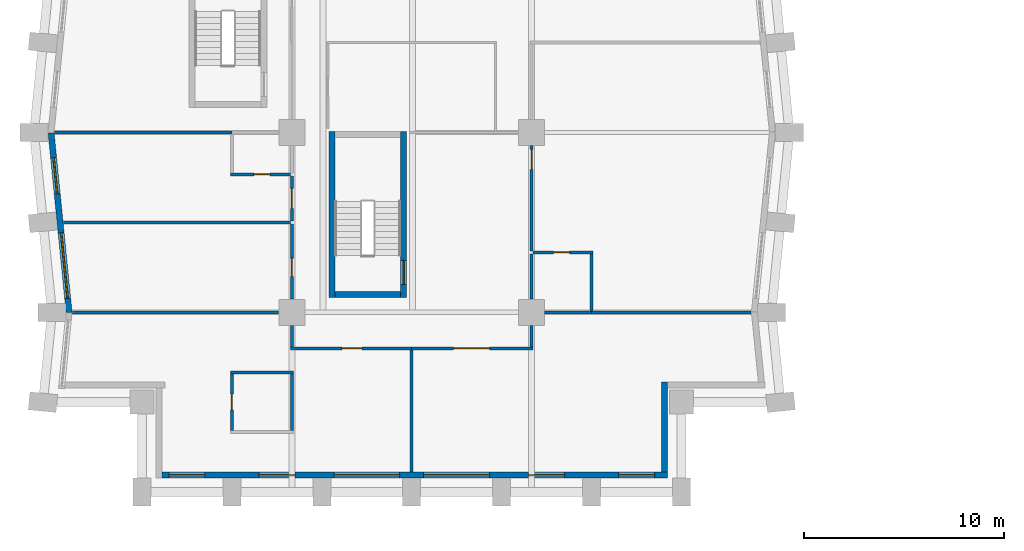
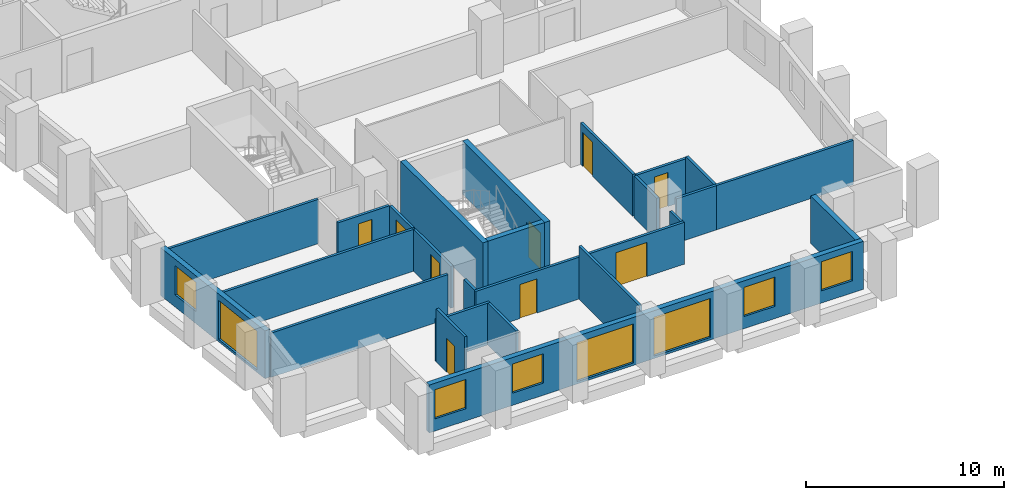
# One storey, part 3 of 13: 26 walls, 9 doors, 8 windows, 17 openings.
"""IFC4 building model written with IfcOpenShell, lengths in metres."""

from ifc_helpers import new_model, si_unit, direction, frame, frame_2d, origin, place, context, subcontext, project, spatial, rectangle, extrude, material, layer, layer_set, type_object, element, fill, save


model = new_model("IFC4")

# Units and contexts
model_context = context("Model", 3, precision=1e-05, world=origin(), true_north=direction((0.0, 1.0)))
body_context = subcontext(model_context, "Body", "Model", "MODEL_VIEW")
ifc_project = project(units=[si_unit("LENGTHUNIT", "METRE"), si_unit("AREAUNIT", "SQUARE_METRE"), si_unit("VOLUMEUNIT", "CUBIC_METRE"), si_unit("PLANEANGLEUNIT", "RADIAN"), si_unit("MASSUNIT", "GRAM", prefix="KILO")], contexts=[model_context])

# Site, building, storey
site_placement = place(None, origin())
site = spatial("IfcSite", under=ifc_project, at=site_placement, CompositionType="ELEMENT")
building_placement = place(site_placement, origin())
building = spatial("IfcBuilding", under=site, at=building_placement, Name="Brondeck Convention Tower", CompositionType="ELEMENT")
storey_placement = place(building_placement, frame((0.0, 0.0, 69.89990234375)))
storey = spatial("IfcBuildingStorey", under=building, at=storey_placement, Name="L15", CompositionType="ELEMENT", Elevation=69.89990234375)

# Wall, openings, windows
ifc_material_1 = material(Name="Precast concrete C50/60 bronze finish", Category="concrete")
ifc_layer_1 = layer(ifc_material_1, 0.070068359375, Name="Bronze precast facing")
ifc_material_2 = material(Name="Mineral wool")
ifc_layer_2 = layer(ifc_material_2, 0.159912109375, Name="Insulation")
ifc_material_3 = material(Name="Concrete C35/45", Category="concrete")
ifc_layer_3 = layer(ifc_material_3, 0.070068359375, Name="Backing")
ifc_layer_set_1 = layer_set([ifc_layer_1, ifc_layer_2, ifc_layer_3], Name="External infill wall, precast concrete C50/60 bronze facing")
wall_type_1 = type_object("IfcWallType", Name="External infill wall, precast concrete C50/60 bronze facing", PredefinedType="SOLIDWALL", material=ifc_layer_set_1)
wall_1_placement = place(storey_placement, frame((30.800048828125, 0.85009765625, 0.0), z_axis=(0.0, 0.0, 1.0), x_axis=(-1.0, 0.0, 0.0)))
wall_1 = element("IfcWall", 1, at=wall_1_placement, inside=storey, type_object=wall_type_1, Name="ENV-EW-L15-P0-B-S0-01", PredefinedType="SOLIDWALL", context=body_context, shape_type="SweptSolid", body=[
    extrude(rectangle(XDim=25.300048828125, YDim=0.300048828125, at=frame_2d((12.64990234375, 0.0))), origin(), (0.0, 0.0, 1.0), 2.9501953125),
])
opening_1_placement = place(wall_1_placement, frame((0.64990234375, 0.0, 0.75)))
opening_1 = element("IfcOpeningElement", 2, at=opening_1_placement, cuts=wall_1, Name="Opening W10", PredefinedType="OPENING", context=body_context, shape_type="SweptSolid", body=[
    extrude(rectangle(XDim=1.800048828125, YDim=1.800048828125, at=frame_2d((0.89990234375, 0.89990234375))), frame((0.0, 0.159912109375, 0.0), z_axis=(0.0, -1.0, 0.0), x_axis=(1.0, 0.0, 0.0)), (0.0, 0.0, 1.0), 0.320068359375),
])
opening_2_placement = place(wall_1_placement, frame((5.14990234375, 0.0, 0.75)))
opening_2 = element("IfcOpeningElement", 3, at=opening_2_placement, cuts=wall_1, Name="Opening W10", PredefinedType="OPENING", context=body_context, shape_type="SweptSolid", body=[
    extrude(rectangle(XDim=1.800048828125, YDim=1.800048828125, at=frame_2d((0.89990234375, 0.89990234375))), frame((0.0, 0.159912109375, 0.0), z_axis=(0.0, -1.0, 0.0), x_axis=(1.0, 0.0, 0.0)), (0.0, 0.0, 1.0), 0.320068359375),
])
opening_3_placement = place(wall_1_placement, frame((8.89990234375, 0.0, 0.14990234375)))
opening_3 = element("IfcOpeningElement", 4, at=opening_3_placement, cuts=wall_1, Name="Opening W9", PredefinedType="OPENING", context=body_context, shape_type="SweptSolid", body=[
    extrude(rectangle(XDim=3.300048828125, YDim=2.39990234375, at=frame_2d((1.64990234375, 1.199951171875))), frame((0.0, 0.159912109375, 0.0), z_axis=(0.0, -1.0, 0.0), x_axis=(1.0, 0.0, 0.0)), (0.0, 0.0, 1.0), 0.320068359375),
])
opening_4_placement = place(wall_1_placement, frame((13.39990234375, 0.0, 0.14990234375)))
opening_4 = element("IfcOpeningElement", 5, at=opening_4_placement, cuts=wall_1, Name="Opening W9", PredefinedType="OPENING", context=body_context, shape_type="SweptSolid", body=[
    extrude(rectangle(XDim=3.300048828125, YDim=2.39990234375, at=frame_2d((1.64990234375, 1.199951171875))), frame((0.0, 0.159912109375, 0.0), z_axis=(0.0, -1.0, 0.0), x_axis=(1.0, 0.0, 0.0)), (0.0, 0.0, 1.0), 0.320068359375),
])
opening_5_placement = place(wall_1_placement, frame((18.64990234375, 0.0, 0.75)))
opening_5 = element("IfcOpeningElement", 6, at=opening_5_placement, cuts=wall_1, Name="Opening W10", PredefinedType="OPENING", context=body_context, shape_type="SweptSolid", body=[
    extrude(rectangle(XDim=1.800048828125, YDim=1.800048828125, at=frame_2d((0.89990234375, 0.89990234375))), frame((0.0, 0.159912109375, 0.0), z_axis=(0.0, -1.0, 0.0), x_axis=(1.0, 0.0, 0.0)), (0.0, 0.0, 1.0), 0.320068359375),
])
opening_6_placement = place(wall_1_placement, frame((23.14990234375, 0.0, 0.75)))
opening_6 = element("IfcOpeningElement", 7, at=opening_6_placement, cuts=wall_1, Name="Opening W10", PredefinedType="OPENING", context=body_context, shape_type="SweptSolid", body=[
    extrude(rectangle(XDim=1.800048828125, YDim=1.800048828125, at=frame_2d((0.89990234375, 0.89990234375))), frame((0.0, 0.159912109375, 0.0), z_axis=(0.0, -1.0, 0.0), x_axis=(1.0, 0.0, 0.0)), (0.0, 0.0, 1.0), 0.320068359375),
])
ifc_material_4 = material(Name="Bronze tinted double glazing", Category="glass")
window_type_1 = type_object("IfcWindowType", Name="Glazed flute window, bronze tinted", PartitioningType="SINGLE_PANEL", PredefinedType="WINDOW", material=ifc_material_4)
window_1_placement = place(opening_3_placement, origin())
window_1 = element("IfcWindow", 8, at=window_1_placement, inside=storey, type_object=window_type_1, Name="ENV-WN-L15-P0-B-S0-04", OverallHeight=2.39990234375, OverallWidth=3.300048828125, PartitioningType="SINGLE_PANEL", PredefinedType="WINDOW", context=body_context, shape_type="SweptSolid", body=[
    extrude(rectangle(XDim=3.300048828125, YDim=2.39990234375, at=frame_2d((1.64990234375, 1.199951171875))), frame((0.0, 0.030029296875, 0.0), z_axis=(0.0, -1.0, 0.0), x_axis=(1.0, 0.0, 0.0)), (0.0, 0.0, 1.0), 0.06005859375),
])
fill(opening_3, window_1)
window_2_placement = place(opening_4_placement, origin())
window_2 = element("IfcWindow", 9, at=window_2_placement, inside=storey, type_object=window_type_1, Name="ENV-WN-L15-P0-B-S0-03", OverallHeight=2.39990234375, OverallWidth=3.300048828125, PartitioningType="SINGLE_PANEL", PredefinedType="WINDOW", context=body_context, shape_type="SweptSolid", body=[
    extrude(rectangle(XDim=3.300048828125, YDim=2.39990234375, at=frame_2d((1.64990234375, 1.199951171875))), frame((0.0, 0.030029296875, 0.0), z_axis=(0.0, -1.0, 0.0), x_axis=(1.0, 0.0, 0.0)), (0.0, 0.0, 1.0), 0.06005859375),
])
fill(opening_4, window_2)
window_type_2 = type_object("IfcWindowType", Name="Punched window, bronze tinted", PartitioningType="SINGLE_PANEL", PredefinedType="WINDOW", material=ifc_material_4)
window_3_placement = place(opening_1_placement, origin())
window_3 = element("IfcWindow", 10, at=window_3_placement, inside=storey, type_object=window_type_2, Name="ENV-WN-L15-P0-B-S0-06", OverallHeight=1.800048828125, OverallWidth=1.800048828125, PartitioningType="SINGLE_PANEL", PredefinedType="WINDOW", context=body_context, shape_type="SweptSolid", body=[
    extrude(rectangle(XDim=1.800048828125, YDim=1.800048828125, at=frame_2d((0.89990234375, 0.89990234375))), frame((0.0, 0.030029296875, 0.0), z_axis=(0.0, -1.0, 0.0), x_axis=(1.0, 0.0, 0.0)), (0.0, 0.0, 1.0), 0.06005859375),
])
fill(opening_1, window_3)
window_4_placement = place(opening_2_placement, origin())
window_4 = element("IfcWindow", 11, at=window_4_placement, inside=storey, type_object=window_type_2, Name="ENV-WN-L15-P0-B-S0-05", OverallHeight=1.800048828125, OverallWidth=1.800048828125, PartitioningType="SINGLE_PANEL", PredefinedType="WINDOW", context=body_context, shape_type="SweptSolid", body=[
    extrude(rectangle(XDim=1.800048828125, YDim=1.800048828125, at=frame_2d((0.89990234375, 0.89990234375))), frame((0.0, 0.030029296875, 0.0), z_axis=(0.0, -1.0, 0.0), x_axis=(1.0, 0.0, 0.0)), (0.0, 0.0, 1.0), 0.06005859375),
])
fill(opening_2, window_4)
window_5_placement = place(opening_5_placement, origin())
window_5 = element("IfcWindow", 12, at=window_5_placement, inside=storey, type_object=window_type_2, Name="ENV-WN-L15-P0-B-S0-02", OverallHeight=1.800048828125, OverallWidth=1.800048828125, PartitioningType="SINGLE_PANEL", PredefinedType="WINDOW", context=body_context, shape_type="SweptSolid", body=[
    extrude(rectangle(XDim=1.800048828125, YDim=1.800048828125, at=frame_2d((0.89990234375, 0.89990234375))), frame((0.0, 0.030029296875, 0.0), z_axis=(0.0, -1.0, 0.0), x_axis=(1.0, 0.0, 0.0)), (0.0, 0.0, 1.0), 0.06005859375),
])
fill(opening_5, window_5)
window_6_placement = place(opening_6_placement, origin())
window_6 = element("IfcWindow", 13, at=window_6_placement, inside=storey, type_object=window_type_2, Name="ENV-WN-L15-P0-B-S0-01", OverallHeight=1.800048828125, OverallWidth=1.800048828125, PartitioningType="SINGLE_PANEL", PredefinedType="WINDOW", context=body_context, shape_type="SweptSolid", body=[
    extrude(rectangle(XDim=1.800048828125, YDim=1.800048828125, at=frame_2d((0.89990234375, 0.89990234375))), frame((0.0, 0.030029296875, 0.0), z_axis=(0.0, -1.0, 0.0), x_axis=(1.0, 0.0, 0.0)), (0.0, 0.0, 1.0), 0.06005859375),
])
fill(opening_6, window_6)

# Wall
wall_2_placement = place(storey_placement, frame((30.64990234375, 5.5, 0.0), z_axis=(0.0, 0.0, 1.0), x_axis=(0.0, -1.0, 0.0)))
element("IfcWall", 14, at=wall_2_placement, inside=storey, type_object=wall_type_1, Name="ENV-EW-L15-P0-NC-SEB0-01", PredefinedType="SOLIDWALL", context=body_context, shape_type="SweptSolid", body=[
    extrude(rectangle(XDim=4.501953125, YDim=0.300048828125, at=frame_2d((2.2509765625, 0.0))), origin(), (0.0, 0.0, 1.0), 2.9501953125),
])

# Wall, openings, windows
wall_3_placement = place(storey_placement, frame((0.855712890625, 8.985107421875, 0.0), z_axis=(0.0, 0.0, 1.0), x_axis=(-0.099495688264, 0.995037993253, 0.0)))
wall_3 = element("IfcWall", 15, at=wall_3_placement, inside=storey, type_object=wall_type_1, Name="ENV-EW-L15-P0-B-W-10", PredefinedType="SOLIDWALL", context=body_context, shape_type="SweptSolid", body=[
    extrude(rectangle(XDim=9.030029296875, YDim=0.300048828125, at=frame_2d((4.51513671875, 0.0))), origin(), (0.0, 0.0, 1.0), 2.9501953125),
])
opening_7_placement = place(wall_3_placement, frame((0.711181640625, 0.0, 0.14990234375)))
opening_7 = element("IfcOpeningElement", 16, at=opening_7_placement, cuts=wall_3, Name="Opening W9", PredefinedType="OPENING", context=body_context, shape_type="SweptSolid", body=[
    extrude(rectangle(XDim=3.300048828125, YDim=2.39990234375, at=frame_2d((1.64990234375, 1.199951171875))), frame((0.0, 0.159912109375, 0.0), z_axis=(0.0, -1.0, 0.0), x_axis=(1.0, 0.0, 0.0)), (0.0, 0.0, 1.0), 0.320068359375),
])
opening_8_placement = place(wall_3_placement, frame((5.983642578125, 0.0, 0.75)))
opening_8 = element("IfcOpeningElement", 17, at=opening_8_placement, cuts=wall_3, Name="Opening W10", PredefinedType="OPENING", context=body_context, shape_type="SweptSolid", body=[
    extrude(rectangle(XDim=1.800048828125, YDim=1.800048828125, at=frame_2d((0.89990234375, 0.89990234375))), frame((0.0, 0.159912109375, 0.0), z_axis=(0.0, -1.0, 0.0), x_axis=(1.0, 0.0, 0.0)), (0.0, 0.0, 1.0), 0.320068359375),
])
window_7_placement = place(opening_7_placement, origin())
window_7 = element("IfcWindow", 18, at=window_7_placement, inside=storey, type_object=window_type_1, Name="ENV-WN-L15-P0-B-W-11", OverallHeight=2.39990234375, OverallWidth=3.300048828125, PartitioningType="SINGLE_PANEL", PredefinedType="WINDOW", context=body_context, shape_type="SweptSolid", body=[
    extrude(rectangle(XDim=3.300048828125, YDim=2.39990234375, at=frame_2d((1.64990234375, 1.199951171875))), frame((0.0, 0.030029296875, 0.0), z_axis=(0.0, -1.0, 0.0), x_axis=(1.0, 0.0, 0.0)), (0.0, 0.0, 1.0), 0.06005859375),
])
fill(opening_7, window_7)
window_8_placement = place(opening_8_placement, origin())
window_8 = element("IfcWindow", 19, at=window_8_placement, inside=storey, type_object=window_type_2, Name="ENV-WN-L15-P0-B-W-10", OverallHeight=1.800048828125, OverallWidth=1.800048828125, PartitioningType="SINGLE_PANEL", PredefinedType="WINDOW", context=body_context, shape_type="SweptSolid", body=[
    extrude(rectangle(XDim=1.800048828125, YDim=1.800048828125, at=frame_2d((0.89990234375, 0.89990234375))), frame((0.0, 0.030029296875, 0.0), z_axis=(0.0, -1.0, 0.0), x_axis=(1.0, 0.0, 0.0)), (0.0, 0.0, 1.0), 0.06005859375),
])
fill(opening_8, window_8)

# Wall
ifc_material_5 = material(Name="Double gypsum board acoustic wall")
ifc_layer_4 = layer(ifc_material_5, 0.14990234375)
ifc_layer_set_2 = layer_set([ifc_layer_4], Name="Guest room party wall 150")
wall_type_2 = type_object("IfcWallType", Name="Guest room party wall 150", PredefinedType="PARTITIONING", material=ifc_layer_set_2)
wall_4_placement = place(storey_placement, frame((12.0, 3.074951171875, 0.0), z_axis=(0.0, 0.0, 1.0), x_axis=(0.0, 1.0, 0.0)))
element("IfcWall", 20, at=wall_4_placement, inside=storey, type_object=wall_type_2, Name="FLR-L15-W002", PredefinedType="PARTITIONING", context=body_context, shape_type="SweptSolid", body=[
    extrude(rectangle(XDim=2.85009765625, YDim=0.14990234375, at=frame_2d((1.425048828125, 0.0))), origin(), (0.0, 0.0, 1.0), 2.580078125),
])

# Wall, opening, door
wall_5_placement = place(storey_placement, frame((9.0, 5.925048828125, 0.0), z_axis=(0.0, 0.0, 1.0), x_axis=(0.0, -1.0, 0.0)))
wall_5 = element("IfcWall", 21, at=wall_5_placement, inside=storey, type_object=wall_type_2, Name="FLR-L15-W003", PredefinedType="PARTITIONING", context=body_context, shape_type="SweptSolid", body=[
    extrude(rectangle(XDim=2.85009765625, YDim=0.14990234375, at=frame_2d((1.425048828125, 0.0))), origin(), (0.0, 0.0, 1.0), 3.280029296875),
])
opening_9_placement = place(wall_5_placement, frame((1.02490234375, 0.0, 0.0)))
opening_9 = element("IfcOpeningElement", 22, at=opening_9_placement, cuts=wall_5, Name="Opening H4-031", PredefinedType="OPENING", context=body_context, shape_type="SweptSolid", body=[
    extrude(rectangle(XDim=0.800048828125, YDim=2.10009765625, at=frame_2d((0.39990234375, 1.050048828125))), frame((0.0, 0.0849609375, 0.0), z_axis=(0.0, -1.0, 0.0), x_axis=(1.0, 0.0, 0.0)), (0.0, 0.0, 1.0), 0.169921875),
])
ifc_material_6 = material(Name="Solid timber door leaf", Category="wood")
door_type_1 = type_object("IfcDoorType", Name="En-suite door 800", OperationType="NOTDEFINED", PredefinedType="DOOR", material=ifc_material_6)
door_1_placement = place(opening_9_placement, origin())
door_1 = element("IfcDoor", 23, at=door_1_placement, inside=storey, type_object=door_type_1, Name="Door H4-031", OperationType="SINGLE_SWING_RIGHT", OverallHeight=2.10009765625, OverallWidth=0.800048828125, PredefinedType="DOOR", context=body_context, shape_type="SweptSolid", body=[
    extrude(rectangle(XDim=0.800048828125, YDim=2.10009765625, at=frame_2d((0.39990234375, 1.050048828125))), frame((0.0, 0.02490234375, 0.0), z_axis=(0.0, -1.0, 0.0), x_axis=(1.0, 0.0, 0.0)), (0.0, 0.0, 1.0), 0.050048828125),
])
fill(opening_9, door_1)

# Walls
wall_6_placement = place(storey_placement, frame((12.074951171875, 6.0, 0.0), z_axis=(0.0, 0.0, 1.0), x_axis=(-1.0, 0.0, 0.0)))
element("IfcWall", 24, at=wall_6_placement, inside=storey, type_object=wall_type_2, Name="FLR-L15-W004", PredefinedType="PARTITIONING", context=body_context, shape_type="SweptSolid", body=[
    extrude(rectangle(XDim=3.14990234375, YDim=0.14990234375, at=frame_2d((1.574951171875, 0.0))), origin(), (0.0, 0.0, 1.0), 2.580078125),
])
wall_7_placement = place(storey_placement, frame((18.0, 7.125, 0.0), z_axis=(0.0, 0.0, 1.0), x_axis=(0.0, -1.0, 0.0)))
element("IfcWall", 25, at=wall_7_placement, inside=storey, type_object=wall_type_2, Name="FLR-L15-W005", PredefinedType="PARTITIONING", context=body_context, shape_type="SweptSolid", body=[
    extrude(rectangle(XDim=6.10498046875, YDim=0.14990234375, at=frame_2d((3.052490234375, 0.0))), origin(), (0.0, 0.0, 1.0), 3.280029296875),
])

# Wall, opening, door
wall_8_placement = place(storey_placement, frame((18.0, 7.199951171875, 0.0), z_axis=(0.0, 0.0, 1.0), x_axis=(-1.0, 0.0, 0.0)))
wall_8 = element("IfcWall", 26, at=wall_8_placement, inside=storey, type_object=wall_type_2, Name="FLR-L15-W006", PredefinedType="PARTITIONING", context=body_context, shape_type="SweptSolid", body=[
    extrude(rectangle(XDim=6.074951171875, YDim=0.14990234375, at=frame_2d((3.03759765625, 0.0))), origin(), (0.0, 0.0, 1.0), 2.580078125),
])
opening_10_placement = place(wall_8_placement, frame((2.5, 0.0, 0.0)))
opening_10 = element("IfcOpeningElement", 27, at=opening_10_placement, cuts=wall_8, Name="Opening H4-030", PredefinedType="OPENING", context=body_context, shape_type="SweptSolid", body=[
    extrude(rectangle(XDim=1.0, YDim=2.10009765625, at=frame_2d((0.5, 1.050048828125))), frame((0.0, 0.0849609375, 0.0), z_axis=(0.0, -1.0, 0.0), x_axis=(1.0, 0.0, 0.0)), (0.0, 0.0, 1.0), 0.169921875),
])
ifc_material_7 = material(Name="Solid timber fire door leaf", Category="wood")
door_type_2 = type_object("IfcDoorType", Name="Guest room door 1000", OperationType="NOTDEFINED", PredefinedType="DOOR", material=ifc_material_7)
door_2_placement = place(opening_10_placement, origin())
door_2 = element("IfcDoor", 28, at=door_2_placement, inside=storey, type_object=door_type_2, Name="Door H4-030", OperationType="SINGLE_SWING_LEFT", OverallHeight=2.10009765625, OverallWidth=1.0, PredefinedType="DOOR", context=body_context, shape_type="SweptSolid", body=[
    extrude(rectangle(XDim=1.0, YDim=2.10009765625, at=frame_2d((0.5, 1.050048828125))), frame((0.0, 0.02490234375, 0.0), z_axis=(0.0, -1.0, 0.0), x_axis=(1.0, 0.0, 0.0)), (0.0, 0.0, 1.0), 0.050048828125),
])
fill(opening_10, door_2)

wall_9_placement = place(storey_placement, frame((24.074951171875, 7.199951171875, 0.0), z_axis=(0.0, 0.0, 1.0), x_axis=(-1.0, 0.0, 0.0)))
wall_9 = element("IfcWall", 29, at=wall_9_placement, inside=storey, type_object=wall_type_2, Name="FLR-L15-W007", PredefinedType="PARTITIONING", context=body_context, shape_type="SweptSolid", body=[
    extrude(rectangle(XDim=6.074951171875, YDim=0.14990234375, at=frame_2d((3.03759765625, 0.0))), origin(), (0.0, 0.0, 1.0), 2.580078125),
])
opening_11_placement = place(wall_9_placement, frame((2.175048828125, 0.0, 0.0)))
opening_11 = element("IfcOpeningElement", 30, at=opening_11_placement, cuts=wall_9, Name="Opening H4-032", PredefinedType="OPENING", context=body_context, shape_type="SweptSolid", body=[
    extrude(rectangle(XDim=1.800048828125, YDim=2.10009765625, at=frame_2d((0.89990234375, 1.050048828125))), frame((0.0, 0.0849609375, 0.0), z_axis=(0.0, -1.0, 0.0), x_axis=(1.0, 0.0, 0.0)), (0.0, 0.0, 1.0), 0.169921875),
])
ifc_material_8 = material(Name="Glazed timber double door", Category="wood")
door_type_3 = type_object("IfcDoorType", Name="Double door 1800", OperationType="DOUBLE_DOOR_SINGLE_SWING", PredefinedType="DOOR", material=ifc_material_8)
door_3_placement = place(opening_11_placement, origin())
door_3 = element("IfcDoor", 31, at=door_3_placement, inside=storey, type_object=door_type_3, Name="Door H4-032", OperationType="DOUBLE_DOOR_SINGLE_SWING", OverallHeight=2.10009765625, OverallWidth=1.800048828125, PredefinedType="DOOR", context=body_context, shape_type="SweptSolid", body=[
    extrude(rectangle(XDim=1.800048828125, YDim=2.10009765625, at=frame_2d((0.89990234375, 1.050048828125))), frame((0.0, 0.02490234375, 0.0), z_axis=(0.0, -1.0, 0.0), x_axis=(1.0, 0.0, 0.0)), (0.0, 0.0, 1.0), 0.050048828125),
])
fill(opening_11, door_3)

# Walls
for number, where, z_axis, x_axis, name in (
    (32, (12.0, 7.27490234375, 0.0), (0.0, 0.0, 1.0), (0.0, 1.0, 0.0), "FLR-L15-W008"),
    (33, (24.0, 8.344970703125, 0.0), (0.0, 0.0, 1.0), (0.0, -1.0, 0.0), "FLR-L15-W009"),
):
    element("IfcWall", number, at=place(storey_placement, frame(where, z_axis=z_axis, x_axis=x_axis)), inside=storey, type_object=wall_type_2, Name=name, PredefinedType="PARTITIONING", context=body_context, shape_type="SweptSolid", body=[
        extrude(rectangle(XDim=1.070068359375, YDim=0.14990234375, at=frame_2d((0.53515625, 0.0))), origin(), (0.0, 0.0, 1.0), 2.580078125),
    ])
wall_10_placement = place(storey_placement, frame((11.344970703125, 9.0, 0.0), z_axis=(0.0, 0.0, 1.0), x_axis=(-1.0, 0.0, 0.0)))
element("IfcWall", 34, at=wall_10_placement, inside=storey, type_object=wall_type_2, Name="FLR-L15-W010", PredefinedType="PARTITIONING", context=body_context, shape_type="SweptSolid", body=[
    extrude(rectangle(XDim=10.320068359375, YDim=0.14990234375, at=frame_2d((5.16015625, 0.0))), origin(), (0.0, 0.0, 1.0), 2.72998046875),
])
wall_11_placement = place(storey_placement, frame((27.0, 9.0, 0.0), z_axis=(0.0, 0.0, 1.0), x_axis=(-1.0, 0.0, 0.0)))
element("IfcWall", 35, at=wall_11_placement, inside=storey, type_object=wall_type_2, Name="FLR-L15-W011", PredefinedType="PARTITIONING", context=body_context, shape_type="SweptSolid", body=[
    extrude(rectangle(XDim=2.344970703125, YDim=0.14990234375, at=frame_2d((1.17236328125, 0.0))), origin(), (0.0, 0.0, 1.0), 2.72998046875),
])
wall_12_placement = place(storey_placement, frame((34.97509765625, 9.0, 0.0), z_axis=(0.0, 0.0, 1.0), x_axis=(-1.0, 0.0, 0.0)))
element("IfcWall", 36, at=wall_12_placement, inside=storey, type_object=wall_type_2, Name="FLR-L15-W012", PredefinedType="PARTITIONING", context=body_context, shape_type="SweptSolid", body=[
    extrude(rectangle(XDim=7.97509765625, YDim=0.14990234375, at=frame_2d((3.987548828125, 0.0))), origin(), (0.0, 0.0, 1.0), 2.72998046875),
])
wall_13_placement = place(storey_placement, frame((27.0, 9.074951171875, 0.0), z_axis=(0.0, 0.0, 1.0), x_axis=(0.0, 1.0, 0.0)))
element("IfcWall", 37, at=wall_13_placement, inside=storey, type_object=wall_type_2, Name="FLR-L15-W013", PredefinedType="PARTITIONING", context=body_context, shape_type="SweptSolid", body=[
    extrude(rectangle(XDim=2.85009765625, YDim=0.14990234375, at=frame_2d((1.425048828125, 0.0))), origin(), (0.0, 0.0, 1.0), 2.72998046875),
])

# Wall, opening, door
wall_14_placement = place(storey_placement, frame((12.0, 9.655029296875, 0.0), z_axis=(0.0, 0.0, 1.0), x_axis=(0.0, 1.0, 0.0)))
wall_14 = element("IfcWall", 38, at=wall_14_placement, inside=storey, type_object=wall_type_2, Name="FLR-L15-W014", PredefinedType="PARTITIONING", context=body_context, shape_type="SweptSolid", body=[
    extrude(rectangle(XDim=3.77001953125, YDim=0.14990234375, at=frame_2d((1.885009765625, 0.0))), origin(), (0.0, 0.0, 1.0), 2.580078125),
])
opening_12_placement = place(wall_14_placement, frame((1.14501953125, 0.0, 0.0)))
opening_12 = element("IfcOpeningElement", 39, at=opening_12_placement, cuts=wall_14, Name="Opening H4-026", PredefinedType="OPENING", context=body_context, shape_type="SweptSolid", body=[
    extrude(rectangle(XDim=0.89990234375, YDim=2.10009765625, at=frame_2d((0.449951171875, 1.050048828125))), frame((0.0, 0.0849609375, 0.0), z_axis=(0.0, -1.0, 0.0), x_axis=(1.0, 0.0, 0.0)), (0.0, 0.0, 1.0), 0.169921875),
])
door_type_4 = type_object("IfcDoorType", Name="Single door 900", OperationType="NOTDEFINED", PredefinedType="DOOR", material=ifc_material_6)
door_4_placement = place(opening_12_placement, origin())
door_4 = element("IfcDoor", 40, at=door_4_placement, inside=storey, type_object=door_type_4, Name="Door H4-026", OperationType="SINGLE_SWING_LEFT", OverallHeight=2.10009765625, OverallWidth=0.89990234375, PredefinedType="DOOR", context=body_context, shape_type="SweptSolid", body=[
    extrude(rectangle(XDim=0.89990234375, YDim=2.10009765625, at=frame_2d((0.449951171875, 1.050048828125))), frame((0.0, 0.02490234375, 0.0), z_axis=(0.0, -1.0, 0.0), x_axis=(1.0, 0.0, 0.0)), (0.0, 0.0, 1.0), 0.050048828125),
])
fill(opening_12, door_4)

# Wall
wall_15_placement = place(storey_placement, frame((24.0, 11.925048828125, 0.0), z_axis=(0.0, 0.0, 1.0), x_axis=(0.0, -1.0, 0.0)))
element("IfcWall", 41, at=wall_15_placement, inside=storey, type_object=wall_type_2, Name="FLR-L15-W015", PredefinedType="PARTITIONING", context=body_context, shape_type="SweptSolid", body=[
    extrude(rectangle(XDim=2.27001953125, YDim=0.14990234375, at=frame_2d((1.135009765625, 0.0))), origin(), (0.0, 0.0, 1.0), 2.580078125),
])

# Wall, opening, door
wall_16_placement = place(storey_placement, frame((27.074951171875, 12.0, 0.0), z_axis=(0.0, 0.0, 1.0), x_axis=(-1.0, 0.0, 0.0)))
wall_16 = element("IfcWall", 42, at=wall_16_placement, inside=storey, type_object=wall_type_2, Name="FLR-L15-W016", PredefinedType="PARTITIONING", context=body_context, shape_type="SweptSolid", body=[
    extrude(rectangle(XDim=3.0, YDim=0.14990234375, at=frame_2d((1.5, 0.0))), origin(), (0.0, 0.0, 1.0), 2.580078125),
])
opening_13_placement = place(wall_16_placement, frame((1.175048828125, 0.0, 0.0)))
opening_13 = element("IfcOpeningElement", 43, at=opening_13_placement, cuts=wall_16, Name="Opening H4-028", PredefinedType="OPENING", context=body_context, shape_type="SweptSolid", body=[
    extrude(rectangle(XDim=0.800048828125, YDim=2.10009765625, at=frame_2d((0.39990234375, 1.050048828125))), frame((0.0, 0.0849609375, 0.0), z_axis=(0.0, -1.0, 0.0), x_axis=(1.0, 0.0, 0.0)), (0.0, 0.0, 1.0), 0.169921875),
])
door_5_placement = place(opening_13_placement, origin())
door_5 = element("IfcDoor", 44, at=door_5_placement, inside=storey, type_object=door_type_1, Name="Door H4-028", OperationType="SINGLE_SWING_RIGHT", OverallHeight=2.10009765625, OverallWidth=0.800048828125, PredefinedType="DOOR", context=body_context, shape_type="SweptSolid", body=[
    extrude(rectangle(XDim=0.800048828125, YDim=2.10009765625, at=frame_2d((0.39990234375, 1.050048828125))), frame((0.0, 0.02490234375, 0.0), z_axis=(0.0, -1.0, 0.0), x_axis=(1.0, 0.0, 0.0)), (0.0, 0.0, 1.0), 0.050048828125),
])
fill(opening_13, door_5)

# Wall
wall_17_placement = place(storey_placement, frame((11.925048828125, 13.5, 0.0), z_axis=(0.0, 0.0, 1.0), x_axis=(-1.0, 0.0, 0.0)))
element("IfcWall", 45, at=wall_17_placement, inside=storey, type_object=wall_type_2, Name="FLR-L15-W017", PredefinedType="PARTITIONING", context=body_context, shape_type="SweptSolid", body=[
    extrude(rectangle(XDim=11.35009765625, YDim=0.14990234375, at=frame_2d((5.675048828125, 0.0))), origin(), (0.0, 0.0, 1.0), 2.580078125),
])

# Wall, opening, door
wall_18_placement = place(storey_placement, frame((12.0, 13.574951171875, 0.0), z_axis=(0.0, 0.0, 1.0), x_axis=(0.0, 1.0, 0.0)))
wall_18 = element("IfcWall", 46, at=wall_18_placement, inside=storey, type_object=wall_type_2, Name="FLR-L15-W018", PredefinedType="PARTITIONING", context=body_context, shape_type="SweptSolid", body=[
    extrude(rectangle(XDim=2.25, YDim=0.14990234375, at=frame_2d((1.125, 0.0))), origin(), (0.0, 0.0, 1.0), 2.580078125),
])
opening_14_placement = place(wall_18_placement, frame((0.625, 0.0, 0.0)))
opening_14 = element("IfcOpeningElement", 47, at=opening_14_placement, cuts=wall_18, Name="Opening H4-024", PredefinedType="OPENING", context=body_context, shape_type="SweptSolid", body=[
    extrude(rectangle(XDim=1.0, YDim=2.10009765625, at=frame_2d((0.5, 1.050048828125))), frame((0.0, 0.0849609375, 0.0), z_axis=(0.0, -1.0, 0.0), x_axis=(1.0, 0.0, 0.0)), (0.0, 0.0, 1.0), 0.169921875),
])
door_6_placement = place(opening_14_placement, origin())
door_6 = element("IfcDoor", 48, at=door_6_placement, inside=storey, type_object=door_type_2, Name="Door H4-024", OperationType="SINGLE_SWING_LEFT", OverallHeight=2.10009765625, OverallWidth=1.0, PredefinedType="DOOR", context=body_context, shape_type="SweptSolid", body=[
    extrude(rectangle(XDim=1.0, YDim=2.10009765625, at=frame_2d((0.5, 1.050048828125))), frame((0.0, 0.02490234375, 0.0), z_axis=(0.0, -1.0, 0.0), x_axis=(1.0, 0.0, 0.0)), (0.0, 0.0, 1.0), 0.050048828125),
])
fill(opening_14, door_6)

wall_19_placement = place(storey_placement, frame((8.925048828125, 15.89990234375, 0.0), z_axis=(0.0, 0.0, 1.0), x_axis=(1.0, 0.0, 0.0)))
wall_19 = element("IfcWall", 49, at=wall_19_placement, inside=storey, type_object=wall_type_2, Name="FLR-L15-W019", PredefinedType="PARTITIONING", context=body_context, shape_type="SweptSolid", body=[
    extrude(rectangle(XDim=3.0, YDim=0.14990234375, at=frame_2d((1.5, 0.0))), origin(), (0.0, 0.0, 1.0), 2.580078125),
])
opening_15_placement = place(wall_19_placement, frame((1.175048828125, 0.0, 0.0)))
opening_15 = element("IfcOpeningElement", 50, at=opening_15_placement, cuts=wall_19, Name="Opening H4-025", PredefinedType="OPENING", context=body_context, shape_type="SweptSolid", body=[
    extrude(rectangle(XDim=0.800048828125, YDim=2.10009765625, at=frame_2d((0.39990234375, 1.050048828125))), frame((0.0, 0.0849609375, 0.0), z_axis=(0.0, -1.0, 0.0), x_axis=(1.0, 0.0, 0.0)), (0.0, 0.0, 1.0), 0.169921875),
])
door_7_placement = place(opening_15_placement, origin())
door_7 = element("IfcDoor", 51, at=door_7_placement, inside=storey, type_object=door_type_1, Name="Door H4-025", OperationType="SINGLE_SWING_LEFT", OverallHeight=2.10009765625, OverallWidth=0.800048828125, PredefinedType="DOOR", context=body_context, shape_type="SweptSolid", body=[
    extrude(rectangle(XDim=0.800048828125, YDim=2.10009765625, at=frame_2d((0.39990234375, 1.050048828125))), frame((0.0, 0.02490234375, 0.0), z_axis=(0.0, -1.0, 0.0), x_axis=(1.0, 0.0, 0.0)), (0.0, 0.0, 1.0), 0.050048828125),
])
fill(opening_15, door_7)

wall_20_placement = place(storey_placement, frame((24.0, 17.344970703125, 0.0), z_axis=(0.0, 0.0, 1.0), x_axis=(0.0, -1.0, 0.0)))
wall_20 = element("IfcWall", 52, at=wall_20_placement, inside=storey, type_object=wall_type_2, Name="FLR-L15-W021", PredefinedType="PARTITIONING", context=body_context, shape_type="SweptSolid", body=[
    extrude(rectangle(XDim=5.27001953125, YDim=0.14990234375, at=frame_2d((2.635009765625, 0.0))), origin(), (0.0, 0.0, 1.0), 2.580078125),
])
opening_16_placement = place(wall_20_placement, frame((0.195068359375, 0.0, 0.0)))
opening_16 = element("IfcOpeningElement", 53, at=opening_16_placement, cuts=wall_20, Name="Opening H4-027", PredefinedType="OPENING", context=body_context, shape_type="SweptSolid", body=[
    extrude(rectangle(XDim=1.0, YDim=2.10009765625, at=frame_2d((0.5, 1.050048828125))), frame((0.0, 0.0849609375, 0.0), z_axis=(0.0, -1.0, 0.0), x_axis=(1.0, 0.0, 0.0)), (0.0, 0.0, 1.0), 0.169921875),
])
door_8_placement = place(opening_16_placement, origin())
door_8 = element("IfcDoor", 54, at=door_8_placement, inside=storey, type_object=door_type_2, Name="Door H4-027", OperationType="SINGLE_SWING_RIGHT", OverallHeight=2.10009765625, OverallWidth=1.0, PredefinedType="DOOR", context=body_context, shape_type="SweptSolid", body=[
    extrude(rectangle(XDim=1.0, YDim=2.10009765625, at=frame_2d((0.5, 1.050048828125))), frame((0.0, 0.02490234375, 0.0), z_axis=(0.0, -1.0, 0.0), x_axis=(1.0, 0.0, 0.0)), (0.0, 0.0, 1.0), 0.050048828125),
])
fill(opening_16, door_8)

# Walls
wall_21_placement = place(storey_placement, frame((9.0, 18.0, 0.0), z_axis=(0.0, 0.0, 1.0), x_axis=(-1.0, 0.0, 0.0)))
element("IfcWall", 55, at=wall_21_placement, inside=storey, type_object=wall_type_2, Name="FLR-L15-W023", PredefinedType="PARTITIONING", context=body_context, shape_type="SweptSolid", body=[
    extrude(rectangle(XDim=8.875, YDim=0.14990234375, at=frame_2d((4.4375, 0.0))), origin(), (0.0, 0.0, 1.0), 2.72998046875),
])
ifc_material_9 = material(Name="Concrete C80/95", Category="concrete")
ifc_layer_5 = layer(ifc_material_9, 0.300048828125)
ifc_layer_set_3 = layer_set([ifc_layer_5], Name="Stair enclosure wall 300 Concrete C80/95")
wall_type_3 = type_object("IfcWallType", Name="Stair enclosure wall 300 Concrete C80/95", PredefinedType="SHEAR", material=ifc_layer_set_3)
wall_22_placement = place(storey_placement, frame((14.14990234375, 9.89990234375, 0.0), z_axis=(0.0, 0.0, 1.0), x_axis=(1.0, 0.0, 0.0)))
element("IfcWall", 56, at=wall_22_placement, inside=storey, type_object=wall_type_3, Name="L15 core wall", PredefinedType="SHEAR", context=body_context, shape_type="SweptSolid", body=[
    extrude(rectangle(XDim=3.300048828125, YDim=0.300048828125, at=frame_2d((1.64990234375, 0.0))), origin(), (0.0, 0.0, 1.0), 3.300048828125),
])
wall_23_placement = place(storey_placement, frame((14.0, 9.75, 0.0), z_axis=(0.0, 0.0, 1.0), x_axis=(0.0, 1.0, 0.0)))
element("IfcWall", 57, at=wall_23_placement, inside=storey, type_object=wall_type_3, Name="L15 core wall", PredefinedType="SHEAR", context=body_context, shape_type="SweptSolid", body=[
    extrude(rectangle(XDim=8.300048828125, YDim=0.300048828125, at=frame_2d((4.14990234375, 0.0))), origin(), (0.0, 0.0, 1.0), 3.300048828125),
])

# Wall, opening, door
wall_24_placement = place(storey_placement, frame((17.60009765625, 9.75, 0.0), z_axis=(0.0, 0.0, 1.0), x_axis=(0.0, 1.0, 0.0)))
wall_24 = element("IfcWall", 58, at=wall_24_placement, inside=storey, type_object=wall_type_3, Name="L15 core wall", PredefinedType="SHEAR", context=body_context, shape_type="SweptSolid", body=[
    extrude(rectangle(XDim=8.300048828125, YDim=0.300048828125, at=frame_2d((4.14990234375, 0.0))), origin(), (0.0, 0.0, 1.0), 3.300048828125),
])
opening_17_placement = place(wall_24_placement, frame((0.64990234375, 0.0, 0.0)))
opening_17 = element("IfcOpeningElement", 59, at=opening_17_placement, cuts=wall_24, Name="Opening C11-22", PredefinedType="OPENING", context=body_context, shape_type="SweptSolid", body=[
    extrude(rectangle(XDim=1.199951171875, YDim=2.199951171875, at=frame_2d((0.60009765625, 1.10009765625))), frame((0.0, 0.159912109375, 0.0), z_axis=(0.0, -1.0, 0.0), x_axis=(1.0, 0.0, 0.0)), (0.0, 0.0, 1.0), 0.320068359375),
])
ifc_material_10 = material(Name="Steel fire door", Category="steel")
door_type_5 = type_object("IfcDoorType", Name="Stair door 1200x2200 EI 90", OperationType="NOTDEFINED", PredefinedType="DOOR", material=ifc_material_10)
door_9_placement = place(opening_17_placement, origin())
door_9 = element("IfcDoor", 60, at=door_9_placement, inside=storey, type_object=door_type_5, Name="L15 Stair door ST-BF", OperationType="SINGLE_SWING_LEFT", OverallHeight=2.199951171875, OverallWidth=1.199951171875, PredefinedType="DOOR", context=body_context, shape_type="SweptSolid", body=[
    extrude(rectangle(XDim=1.199951171875, YDim=2.199951171875, at=frame_2d((0.60009765625, 1.10009765625))), frame((0.0, 0.02490234375, 0.0), z_axis=(0.0, -1.0, 0.0), x_axis=(1.0, 0.0, 0.0)), (0.0, 0.0, 1.0), 0.050048828125),
])
fill(opening_17, door_9)

save(model, "model.ifc")
